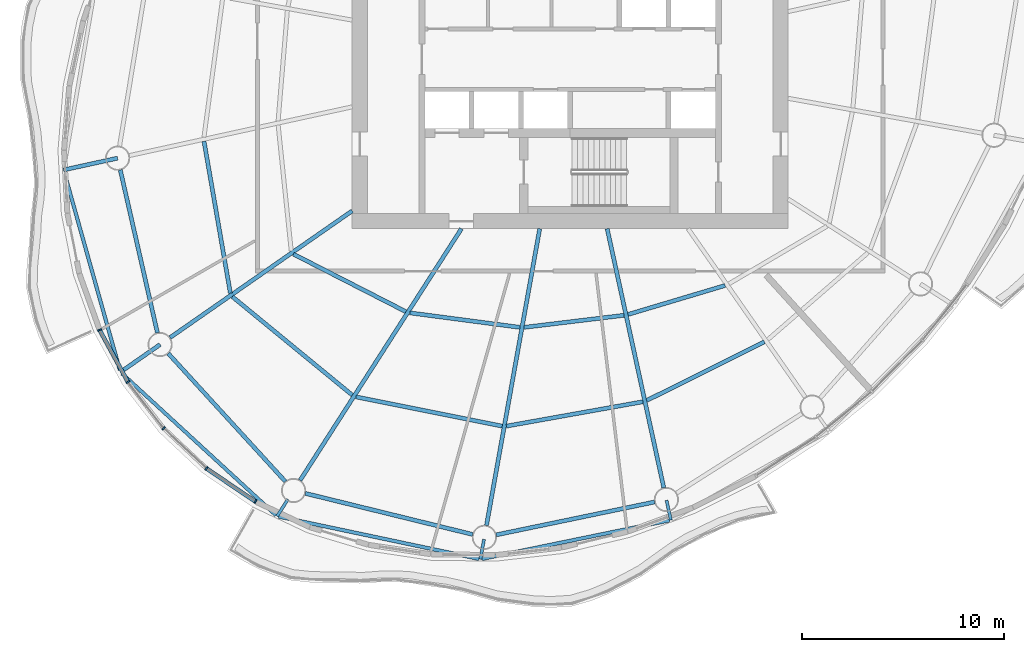
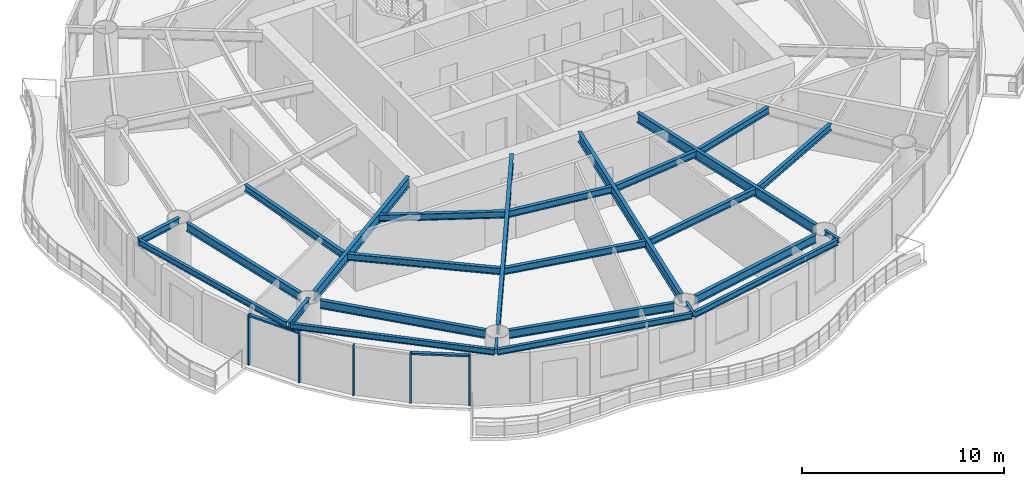
# One storey, part 2 of 14: 26 beams, 7 members, 4 elements without a shape of their own.
"""IFC4 building model written with IfcOpenShell, lengths in metres."""

from ifc_helpers import new_model, si_unit, direction, frame, origin, origin_2d, place, context, subcontext, project, spatial, rectangle, i_section, extrude, material, material_profile, profile_set, type_object, element, aggregate, save


model = new_model("IFC4")

# Units and contexts
model_context = context("Model", 3, precision=1e-05, world=origin(), true_north=direction((0.0, 1.0)))
body_context = subcontext(model_context, "Body", "Model", "MODEL_VIEW")
ifc_project = project(units=[si_unit("LENGTHUNIT", "METRE"), si_unit("AREAUNIT", "SQUARE_METRE"), si_unit("VOLUMEUNIT", "CUBIC_METRE"), si_unit("PLANEANGLEUNIT", "RADIAN"), si_unit("MASSUNIT", "GRAM", prefix="KILO")], contexts=[model_context])

# Site, building, storey
site_placement = place(None, origin())
site = spatial("IfcSite", under=ifc_project, at=site_placement, CompositionType="ELEMENT")
building_placement = place(site_placement, origin())
building = spatial("IfcBuilding", under=site, at=building_placement, Name="Vermilion Reach Broadcast Tower", CompositionType="ELEMENT")
storey_placement = place(building_placement, frame((0.0, 0.0, 202.89990234375)))
storey = spatial("IfcBuildingStorey", under=building, at=storey_placement, Name="L49", CompositionType="ELEMENT", Elevation=202.89990234375)

# Beams
ifc_material_1 = material(Name="Steel S355J2", Category="steel")
ifc_material_profile_1 = material_profile(ifc_material_1, i_section(OverallWidth=0.175048828125, OverallDepth=0.35009765625, WebThickness=0.007080078125, FlangeThickness=0.010986328125, at=origin_2d()), Name="S355J2 HN 350x175x7x11")
ifc_profile_set_1 = profile_set([ifc_material_profile_1], Name="Steel S355J2")
beam_type_1 = type_object("IfcBeamType", Name="EB4 HN 350x175x7x11", PredefinedType="BEAM", material=ifc_profile_set_1)
beam_1_placement = place(storey_placement, frame((-31.07421875, -5.583251953125, 3.275146484375), z_axis=(0.270837066362, -0.962625204056, 0.0), x_axis=(0.962625204056, 0.270837066362, 0.0)))
element("IfcBeam", 1, at=beam_1_placement, inside=storey, type_object=beam_type_1, Name="Edge beam EB4-07", PredefinedType="BEAM", context=body_context, shape_type="SweptSolid", body=[
    extrude(i_section(OverallWidth=0.175048828125, OverallDepth=0.35009765625, WebThickness=0.007080078125, FlangeThickness=0.010986328125, at=origin_2d()), origin(), (0.0, 0.0, 1.0), 10.20068359375),
])
beam_2_placement = place(storey_placement, frame((-28.20751953125, -15.57373046875, 3.275146484375), z_axis=(0.735847940959, -0.677146814057, 0.0), x_axis=(0.677146814057, 0.735847940959, 0.0)))
element("IfcBeam", 2, at=beam_2_placement, inside=storey, type_object=beam_type_1, Name="Edge beam EB4-08", PredefinedType="BEAM", context=body_context, shape_type="SweptSolid", body=[
    extrude(i_section(OverallWidth=0.175048828125, OverallDepth=0.35009765625, WebThickness=0.007080078125, FlangeThickness=0.010986328125, at=origin_2d()), origin(), (0.0, 0.0, 1.0), 10.368408203125),
])
beam_3_placement = place(storey_placement, frame((-20.443359375, -22.662841796875, 3.275146484375), z_axis=(0.978373498424, -0.206846072193, 0.0), x_axis=(0.206846072193, 0.978373498424, 0.0)))
element("IfcBeam", 3, at=beam_3_placement, inside=storey, type_object=beam_type_1, Name="Edge beam EB4-09", PredefinedType="BEAM", context=body_context, shape_type="SweptSolid", body=[
    extrude(i_section(OverallWidth=0.175048828125, OverallDepth=0.35009765625, WebThickness=0.007080078125, FlangeThickness=0.010986328125, at=origin_2d()), origin(), (0.0, 0.0, 1.0), 10.144775390625),
])
beam_4_placement = place(storey_placement, frame((-10.365478515625, -24.760498046875, 3.275146484375), z_axis=(0.979502208701, 0.201433421134, 0.0), x_axis=(-0.201433421134, 0.979502208701, 0.0)))
element("IfcBeam", 4, at=beam_4_placement, inside=storey, type_object=beam_type_1, Name="Edge beam EB4-10", PredefinedType="BEAM", context=body_context, shape_type="SweptSolid", body=[
    extrude(i_section(OverallWidth=0.175048828125, OverallDepth=0.35009765625, WebThickness=0.007080078125, FlangeThickness=0.010986328125, at=origin_2d()), origin(), (0.0, 0.0, 1.0), 9.47802734375),
])
ifc_material_2 = material(Name="Steel S355J2", Category="steel")
ifc_material_profile_2 = material_profile(ifc_material_2, i_section(OverallWidth=0.199951171875, OverallDepth=0.60009765625, WebThickness=0.010986328125, FlangeThickness=0.01708984375, at=origin_2d()), Name="S355J2 HN 600x200x11x17")
ifc_profile_set_2 = profile_set([ifc_material_profile_2], Name="Steel S355J2")
beam_type_2 = type_object("IfcBeamType", Name="G4 HN 600x200x11x17", PredefinedType="BEAM", material=ifc_profile_set_2)
beam_5_placement = place(storey_placement, frame((-16.800048828125, -7.5146484375, 3.150146484375), z_axis=(-0.820848627818, -0.571145804684, 0.0), x_axis=(0.571145804684, -0.820848627818, 0.0)))
element("IfcBeam", 5, at=beam_5_placement, inside=storey, type_object=beam_type_2, Name="Girder G4-08", PredefinedType="BEAM", context=body_context, shape_type="SweptSolid", body=[
    extrude(i_section(OverallWidth=0.199951171875, OverallDepth=0.60009765625, WebThickness=0.010986328125, FlangeThickness=0.01708984375, at=origin_2d()), origin(), (0.0, 0.0, 1.0), 10.99560546875),
])
beam_6_placement = place(storey_placement, frame((-11.386474609375, -8.39990234375, 3.150146484375), z_axis=(-0.539796447586, -0.84179557802, 0.0), x_axis=(0.84179557802, -0.539796447586, 0.0)))
element("IfcBeam", 6, at=beam_6_placement, inside=storey, type_object=beam_type_2, Name="Girder G4-09", PredefinedType="BEAM", context=body_context, shape_type="SweptSolid", body=[
    extrude(i_section(OverallWidth=0.199951171875, OverallDepth=0.60009765625, WebThickness=0.010986328125, FlangeThickness=0.01708984375, at=origin_2d()), origin(), (0.0, 0.0, 1.0), 14.8076171875),
])
beam_7_placement = place(storey_placement, frame((-7.5068359375, -8.39990234375, 3.150146484375), z_axis=(-0.176574729047, -0.984287237072, 0.0), x_axis=(0.984287237072, -0.176574729047, 0.0)))
element("IfcBeam", 7, at=beam_7_placement, inside=storey, type_object=beam_type_2, Name="Girder G4-10", PredefinedType="BEAM", context=body_context, shape_type="SweptSolid", body=[
    extrude(i_section(OverallWidth=0.199951171875, OverallDepth=0.60009765625, WebThickness=0.010986328125, FlangeThickness=0.01708984375, at=origin_2d()), origin(), (0.0, 0.0, 1.0), 14.935302734375),
])
beam_8_placement = place(storey_placement, frame((-4.163818359375, -8.39990234375, 3.150146484375), z_axis=(0.213538346548, -0.976934682849, 0.0), x_axis=(0.976934682849, 0.213538346548, 0.0)))
element("IfcBeam", 8, at=beam_8_placement, inside=storey, type_object=beam_type_2, Name="Girder G4-11", PredefinedType="BEAM", context=body_context, shape_type="SweptSolid", body=[
    extrude(i_section(OverallWidth=0.199951171875, OverallDepth=0.60009765625, WebThickness=0.010986328125, FlangeThickness=0.01708984375, at=origin_2d()), origin(), (0.0, 0.0, 1.0), 13.135498046875),
])
ifc_material_3 = material(Name="Steel S355J2", Category="steel")
ifc_material_profile_3 = material_profile(ifc_material_3, i_section(OverallWidth=0.199951171875, OverallDepth=0.39990234375, WebThickness=0.008056640625, FlangeThickness=0.012939453125, at=origin_2d()), Name="S355J2 HN 400x200x8x13")
ifc_profile_set_3 = profile_set([ifc_material_profile_3], Name="Steel S355J2")
beam_type_3 = type_object("IfcBeamType", Name="GC4 HN 400x200x8x13", PredefinedType="BEAM", material=ifc_profile_set_3)
beam_9_placement = place(storey_placement, frame((-28.423828125, -4.9013671875, 3.25), z_axis=(-0.976919190568, -0.213609211177, 0.0), x_axis=(0.213609211177, -0.976919190568, 0.0)))
element("IfcBeam", 9, at=beam_9_placement, inside=storey, type_object=beam_type_3, Name="Cantilever girder GC4-07", PredefinedType="BEAM", context=body_context, shape_type="SweptSolid", body=[
    extrude(i_section(OverallWidth=0.199951171875, OverallDepth=0.39990234375, WebThickness=0.008056640625, FlangeThickness=0.012939453125, at=origin_2d()), origin(), (0.0, 0.0, 1.0), 2.74072265625),
])
beam_10_placement = place(storey_placement, frame((-26.318115234375, -14.13720703125, 3.25), z_axis=(-0.820838673473, -0.571160110767, 0.0), x_axis=(0.571160110767, -0.820838673473, 0.0)))
element("IfcBeam", 10, at=beam_10_placement, inside=storey, type_object=beam_type_3, Name="Cantilever girder GC4-08", PredefinedType="BEAM", context=body_context, shape_type="SweptSolid", body=[
    extrude(i_section(OverallWidth=0.199951171875, OverallDepth=0.39990234375, WebThickness=0.008056640625, FlangeThickness=0.012939453125, at=origin_2d()), origin(), (0.0, 0.0, 1.0), 2.393798828125),
])
ifc_material_4 = material(Name="Steel S355J2", Category="steel")
ifc_material_profile_4 = material_profile(ifc_material_4, i_section(OverallWidth=0.14990234375, OverallDepth=0.300048828125, WebThickness=0.006591796875, FlangeThickness=0.009033203125, at=origin_2d()), Name="S355J2 HN 300x150x6.5x9")
ifc_profile_set_4 = profile_set([ifc_material_profile_4], Name="Steel S355J2")
beam_type_4 = type_object("IfcBeamType", Name="GS4 HN 300x150x6.5x9", PredefinedType="BEAM", material=ifc_profile_set_4)
for number, where, z_axis, x_axis, name in (
    (11, (-19.982177734375, -21.804443359375, 3.300048828125), (-0.539794777091, -0.841796649213, 0.0), (0.841796649213, -0.539794777091, 0.0), "Cantilever stub GS4-09"),
    (12, (-10.26806640625, -23.79248046875, 3.300048828125), (-0.176500327456, -0.984300581331, 0.0), (0.984300581331, -0.176500327456, 0.0), "Cantilever stub GS4-10"),
):
    element("IfcBeam", number, at=place(storey_placement, frame(where, z_axis=z_axis, x_axis=x_axis)), inside=storey, type_object=beam_type_4, Name=name, PredefinedType="BEAM", context=body_context, shape_type="SweptSolid", body=[
        extrude(i_section(OverallWidth=0.14990234375, OverallDepth=0.300048828125, WebThickness=0.006591796875, FlangeThickness=0.009033203125, at=origin_2d()), origin(), (0.0, 0.0, 1.0), 1.0),
    ])
beam_11_placement = place(storey_placement, frame((-1.221923828125, -21.859375, 3.300048828125), z_axis=(0.213594957215, -0.976922307173, 0.0), x_axis=(0.976922307173, 0.213594957215, 0.0)))
element("IfcBeam", 13, at=beam_11_placement, inside=storey, type_object=beam_type_4, Name="Cantilever stub GS4-11", PredefinedType="BEAM", context=body_context, shape_type="SweptSolid", body=[
    extrude(i_section(OverallWidth=0.14990234375, OverallDepth=0.300048828125, WebThickness=0.006591796875, FlangeThickness=0.009033203125, at=origin_2d()), origin(), (0.0, 0.0, 1.0), 1.000244140625),
])
ifc_material_5 = material(Name="Steel S355J2", Category="steel")
ifc_material_profile_5 = material_profile(ifc_material_5, i_section(OverallWidth=0.199951171875, OverallDepth=0.5, WebThickness=0.010009765625, FlangeThickness=0.01611328125, at=origin_2d()), Name="S355J2 HN 500x200x10x16")
ifc_profile_set_5 = profile_set([ifc_material_profile_5], Name="Steel S355J2")
beam_type_5 = type_object("IfcBeamType", Name="RB4 HN 500x200x10x16", PredefinedType="BEAM", material=ifc_profile_set_5)
beam_12_placement = place(storey_placement, frame((-28.290283203125, -5.486572265625, 3.2001953125), z_axis=(0.222283068275, -0.974982172944, 0.0), x_axis=(0.974982172944, 0.222283068275, 0.0)))
element("IfcBeam", 14, at=beam_12_placement, inside=storey, type_object=beam_type_5, Name="Ring beam RB4-07", PredefinedType="BEAM", context=body_context, shape_type="SweptSolid", body=[
    extrude(i_section(OverallWidth=0.199951171875, OverallDepth=0.5, WebThickness=0.010009765625, FlangeThickness=0.01611328125, at=origin_2d()), origin(), (0.0, 0.0, 1.0), 8.272705078125),
])
beam_13_placement = place(storey_placement, frame((-25.9130859375, -14.580078125, 3.2001953125), z_axis=(0.674868141417, -0.737938338684, 0.0), x_axis=(0.737938338684, 0.674868141417, 0.0)))
element("IfcBeam", 15, at=beam_13_placement, inside=storey, type_object=beam_type_5, Name="Ring beam RB4-08", PredefinedType="BEAM", context=body_context, shape_type="SweptSolid", body=[
    extrude(i_section(OverallWidth=0.199951171875, OverallDepth=0.5, WebThickness=0.010009765625, FlangeThickness=0.01611328125, at=origin_2d()), origin(), (0.0, 0.0, 1.0), 8.601318359375),
])
beam_14_placement = place(storey_placement, frame((-19.120849609375, -21.51318359375, 3.2001953125), z_axis=(0.971158622271, -0.238434331398, 0.0), x_axis=(0.238434331398, 0.971158622271, 0.0)))
element("IfcBeam", 16, at=beam_14_placement, inside=storey, type_object=beam_type_5, Name="Ring beam RB4-09", PredefinedType="BEAM", context=body_context, shape_type="SweptSolid", body=[
    extrude(i_section(OverallWidth=0.199951171875, OverallDepth=0.5, WebThickness=0.010009765625, FlangeThickness=0.01611328125, at=origin_2d()), origin(), (0.0, 0.0, 1.0), 8.534423828125),
])
beam_15_placement = place(storey_placement, frame((-9.662353515625, -23.569091796875, 3.2001953125), z_axis=(0.97912342484, 0.203266620302, 0.0), x_axis=(-0.203266620302, 0.97912342484, 0.0)))
element("IfcBeam", 17, at=beam_15_placement, inside=storey, type_object=beam_type_5, Name="Ring beam RB4-10", PredefinedType="BEAM", context=body_context, shape_type="SweptSolid", body=[
    extrude(i_section(OverallWidth=0.199951171875, OverallDepth=0.5, WebThickness=0.010009765625, FlangeThickness=0.01611328125, at=origin_2d()), origin(), (0.0, 0.0, 1.0), 8.01123046875),
])
ifc_material_6 = material(Name="Steel S355J2", Category="steel")
ifc_material_profile_6 = material_profile(ifc_material_6, i_section(OverallWidth=0.199951171875, OverallDepth=0.39990234375, WebThickness=0.008056640625, FlangeThickness=0.012939453125, at=origin_2d()), Name="S355J2 HN 400x200x8x13")
ifc_profile_set_6 = profile_set([ifc_material_profile_6], Name="Steel S355J2")
beam_type_6 = type_object("IfcBeamType", Name="SB4 HN 400x200x8x13", PredefinedType="BEAM", material=ifc_profile_set_6)
beam_16_placement = place(storey_placement, frame((-24.141357421875, -4.067626953125, 3.25), z_axis=(0.170926997669, -0.985283695931, 0.0), x_axis=(0.985283695931, 0.170926997669, 0.0)))
element("IfcBeam", 18, at=beam_16_placement, inside=storey, type_object=beam_type_6, Name="Secondary beam SB4-07-2", PredefinedType="BEAM", context=body_context, shape_type="SweptSolid", body=[
    extrude(i_section(OverallWidth=0.199951171875, OverallDepth=0.39990234375, WebThickness=0.008056640625, FlangeThickness=0.012939453125, at=origin_2d()), origin(), (0.0, 0.0, 1.0), 7.63720703125),
])
beam_17_placement = place(storey_placement, frame((-19.707763671875, -9.659423828125, 3.25), z_axis=(0.89015575218, -0.455656380249, 0.0), x_axis=(0.455656380249, 0.89015575218, 0.0)))
element("IfcBeam", 19, at=beam_17_placement, inside=storey, type_object=beam_type_6, Name="Secondary beam SB4-08-1", PredefinedType="BEAM", context=body_context, shape_type="SweptSolid", body=[
    extrude(i_section(OverallWidth=0.199951171875, OverallDepth=0.39990234375, WebThickness=0.008056640625, FlangeThickness=0.012939453125, at=origin_2d()), origin(), (0.0, 0.0, 1.0), 6.25439453125),
])
beam_18_placement = place(storey_placement, frame((-22.73681640625, -11.76708984375, 3.25), z_axis=(0.772952000494, -0.6344645025, 0.0), x_axis=(0.6344645025, 0.772952000494, 0.0)))
element("IfcBeam", 20, at=beam_18_placement, inside=storey, type_object=beam_type_6, Name="Secondary beam SB4-08-2", PredefinedType="BEAM", context=body_context, shape_type="SweptSolid", body=[
    extrude(i_section(OverallWidth=0.199951171875, OverallDepth=0.39990234375, WebThickness=0.008056640625, FlangeThickness=0.012939453125, at=origin_2d()), origin(), (0.0, 0.0, 1.0), 7.689697265625),
])
beam_19_placement = place(storey_placement, frame((-13.94140625, -12.5693359375, 3.25), z_axis=(0.991458070019, -0.130425823341, 0.0), x_axis=(0.130425823341, 0.991458070019, 0.0)))
element("IfcBeam", 21, at=beam_19_placement, inside=storey, type_object=beam_type_6, Name="Secondary beam SB4-09-1", PredefinedType="BEAM", context=body_context, shape_type="SweptSolid", body=[
    extrude(i_section(OverallWidth=0.199951171875, OverallDepth=0.39990234375, WebThickness=0.008056640625, FlangeThickness=0.012939453125, at=origin_2d()), origin(), (0.0, 0.0, 1.0), 5.50341796875),
])
beam_20_placement = place(storey_placement, frame((-16.60986328125, -16.73095703125, 3.25), z_axis=(0.9805717807, -0.196160604851, 0.0), x_axis=(0.196160604851, 0.9805717807, 0.0)))
element("IfcBeam", 22, at=beam_20_placement, inside=storey, type_object=beam_type_6, Name="Secondary beam SB4-09-2", PredefinedType="BEAM", context=body_context, shape_type="SweptSolid", body=[
    extrude(i_section(OverallWidth=0.199951171875, OverallDepth=0.39990234375, WebThickness=0.008056640625, FlangeThickness=0.012939453125, at=origin_2d()), origin(), (0.0, 0.0, 1.0), 7.390380859375),
])
beam_21_placement = place(storey_placement, frame((-8.281982421875, -13.28759765625, 3.25), z_axis=(0.99278788328, 0.119884189168, 0.0), x_axis=(-0.119884189168, 0.99278788328, 0.0)))
element("IfcBeam", 23, at=beam_21_placement, inside=storey, type_object=beam_type_6, Name="Secondary beam SB4-10-1", PredefinedType="BEAM", context=body_context, shape_type="SweptSolid", body=[
    extrude(i_section(OverallWidth=0.199951171875, OverallDepth=0.39990234375, WebThickness=0.008056640625, FlangeThickness=0.012939453125, at=origin_2d()), origin(), (0.0, 0.0, 1.0), 4.9892578125),
])
beam_22_placement = place(storey_placement, frame((-9.159912109375, -18.181640625, 3.25), z_axis=(0.984415281892, 0.175859468829, 0.0), x_axis=(-0.175859468829, 0.984415281892, 0.0)))
element("IfcBeam", 24, at=beam_22_placement, inside=storey, type_object=beam_type_6, Name="Secondary beam SB4-10-2", PredefinedType="BEAM", context=body_context, shape_type="SweptSolid", body=[
    extrude(i_section(OverallWidth=0.199951171875, OverallDepth=0.39990234375, WebThickness=0.008056640625, FlangeThickness=0.012939453125, at=origin_2d()), origin(), (0.0, 0.0, 1.0), 6.874755859375),
])
beam_23_placement = place(storey_placement, frame((-3.1328125, -12.64892578125, 3.25), z_axis=(0.958173460215, 0.28618808525, 0.0), x_axis=(-0.28618808525, 0.958173460215, 0.0)))
element("IfcBeam", 25, at=beam_23_placement, inside=storey, type_object=beam_type_6, Name="Secondary beam SB4-11-1", PredefinedType="BEAM", context=body_context, shape_type="SweptSolid", body=[
    extrude(i_section(OverallWidth=0.199951171875, OverallDepth=0.39990234375, WebThickness=0.008056640625, FlangeThickness=0.012939453125, at=origin_2d()), origin(), (0.0, 0.0, 1.0), 5.02197265625),
])
beam_24_placement = place(storey_placement, frame((-2.20166015625, -16.908935546875, 3.25), z_axis=(0.895183615542, 0.445697536974, 0.0), x_axis=(-0.445697536974, 0.895183615542, 0.0)))
element("IfcBeam", 26, at=beam_24_placement, inside=storey, type_object=beam_type_6, Name="Secondary beam SB4-11-2", PredefinedType="BEAM", context=body_context, shape_type="SweptSolid", body=[
    extrude(i_section(OverallWidth=0.199951171875, OverallDepth=0.39990234375, WebThickness=0.008056640625, FlangeThickness=0.012939453125, at=origin_2d()), origin(), (0.0, 0.0, 1.0), 6.508544921875),
])

# Curtain wall, member
ifc_material_7 = material(Name="Low-e laminated clear glass in aluminium frame", Category="aluminium")
curtain_wall_type = type_object("IfcCurtainWallType", Name="Slot curtain wall", PredefinedType="NOTDEFINED", material=ifc_material_7)
placement = place(storey_placement, origin())
curtain_wall_1 = element("IfcCurtainWall", 27, at=placement, inside=storey, type_object=curtain_wall_type, Name="Slot curtain wall L49 22", PredefinedType="NOTDEFINED")
ifc_material_8 = material(Name="Anodised aluminium", Category="aluminium")
ifc_material_profile_7 = material_profile(ifc_material_8, rectangle(XDim=0.199951171875, YDim=0.080078125, at=origin_2d()), Name="Slot mullion 80 x 200")
ifc_profile_set_7 = profile_set([ifc_material_profile_7], Name="Anodised aluminium")
member_type_1 = type_object("IfcMemberType", Name="Slot mullion 80 x 200", PredefinedType="MULLION", material=ifc_profile_set_7)
member_1_placement = place(storey_placement, frame((-29.31640625, -13.418212890625, 0.0), z_axis=(0.0, 0.0, 1.0), x_axis=(0.91235930475, 0.409390399297, 0.0)))
member_1 = element("IfcMember", 28, at=member_1_placement, type_object=member_type_1, Name="Slot mullion L49 22", PredefinedType="MULLION", context=body_context, shape_type="SweptSolid", body=[
    extrude(rectangle(XDim=0.199951171875, YDim=0.080078125, at=origin_2d()), origin(), (0.0, 0.0, 1.0), 3.050048828125),
])

curtain_wall_2 = element("IfcCurtainWall", 29, at=placement, inside=storey, type_object=curtain_wall_type, Name="Slot curtain wall L49 23", PredefinedType="NOTDEFINED")
member_2_placement = place(storey_placement, frame((-27.914794921875, -15.989501953125, 0.0), z_axis=(0.0, 0.0, 1.0), x_axis=(0.83742200828, 0.546556840638, 0.0)))
member_2 = element("IfcMember", 30, at=member_2_placement, type_object=member_type_1, Name="Slot mullion L49 23", PredefinedType="MULLION", context=body_context, shape_type="SweptSolid", body=[
    extrude(rectangle(XDim=0.199951171875, YDim=0.080078125, at=origin_2d()), origin(), (0.0, 0.0, 1.0), 3.050048828125),
])
aggregate(curtain_wall_2, [member_2])

curtain_wall_3 = element("IfcCurtainWall", 31, at=placement, inside=storey, type_object=curtain_wall_type, Name="Slot curtain wall L49 24", PredefinedType="NOTDEFINED")
member_3_placement = place(storey_placement, frame((-26.140625, -18.287841796875, 0.0), z_axis=(0.0, 0.0, 1.0), x_axis=(0.74033542148, 0.672237654183, 0.0)))
member_3 = element("IfcMember", 32, at=member_3_placement, type_object=member_type_1, Name="Slot mullion L49 24", PredefinedType="MULLION", context=body_context, shape_type="SweptSolid", body=[
    extrude(rectangle(XDim=0.199951171875, YDim=0.080078125, at=origin_2d()), origin(), (0.0, 0.0, 1.0), 3.050048828125),
])
aggregate(curtain_wall_3, [member_3])

# Curtain wall, members
curtain_wall_4 = element("IfcCurtainWall", 33, at=placement, inside=storey, type_object=curtain_wall_type, Name="Slot curtain wall L49 25", PredefinedType="NOTDEFINED")
member_4_placement = place(storey_placement, frame((-24.0234375, -20.275146484375, 0.0), z_axis=(0.0, 0.0, 1.0), x_axis=(0.624576487819, 0.780963642472, 0.0)))
member_4 = element("IfcMember", 34, at=member_4_placement, type_object=member_type_1, Name="Slot mullion L49 25", PredefinedType="MULLION", context=body_context, shape_type="SweptSolid", body=[
    extrude(rectangle(XDim=0.199951171875, YDim=0.080078125, at=origin_2d()), origin(), (0.0, 0.0, 1.0), 3.050048828125),
])
member_5_placement = place(storey_placement, frame((-21.598876953125, -21.91748046875, 0.0), z_axis=(0.0, 0.0, 1.0), x_axis=(0.495254747981, 0.868747796891, 0.0)))
member_5 = element("IfcMember", 35, at=member_5_placement, type_object=member_type_1, Name="Slot mullion L49 26", PredefinedType="MULLION", context=body_context, shape_type="SweptSolid", body=[
    extrude(rectangle(XDim=0.199951171875, YDim=0.080078125, at=origin_2d()), origin(), (0.0, 0.0, 1.0), 3.050048828125),
])

# Member
ifc_material_9 = material(Name="Anodised aluminium", Category="aluminium")
ifc_material_profile_8 = material_profile(ifc_material_9, rectangle(XDim=0.199951171875, YDim=0.10009765625, at=origin_2d()), Name="Slot transom 200 x 100")
ifc_profile_set_8 = profile_set([ifc_material_profile_8], Name="Anodised aluminium")
member_type_2 = type_object("IfcMemberType", Name="Slot transom 200 x 100", PredefinedType="USERDEFINED", material=ifc_profile_set_8)
member_6_placement = place(storey_placement, frame((-29.29736328125, -13.453369140625, 3.0), z_axis=(0.478677976143, -0.877990543887, 0.0), x_axis=(0.877990543887, 0.478677976143, 0.0)))
member_6 = element("IfcMember", 36, at=member_6_placement, type_object=member_type_2, Name="Slot transom L49 22.1", ObjectType="TRANSOM", PredefinedType="USERDEFINED", context=body_context, shape_type="SweptSolid", body=[
    extrude(rectangle(XDim=0.199951171875, YDim=0.10009765625, at=origin_2d()), origin(), (0.0, 0.0, 1.0), 2.8486328125),
])

aggregate(curtain_wall_1, [member_1, member_6])

member_7_placement = place(storey_placement, frame((-23.990234375, -20.29736328125, 3.0), z_axis=(0.827886593202, -0.560895523958, 0.0), x_axis=(0.560895523958, 0.827886593202, 0.0)))
member_7 = element("IfcMember", 37, at=member_7_placement, type_object=member_type_2, Name="Slot transom L49 25.1", ObjectType="TRANSOM", PredefinedType="USERDEFINED", context=body_context, shape_type="SweptSolid", body=[
    extrude(rectangle(XDim=0.199951171875, YDim=0.10009765625, at=origin_2d()), origin(), (0.0, 0.0, 1.0), 2.848388671875),
])

aggregate(curtain_wall_4, [member_4, member_5, member_7])

save(model, "model.ifc")
